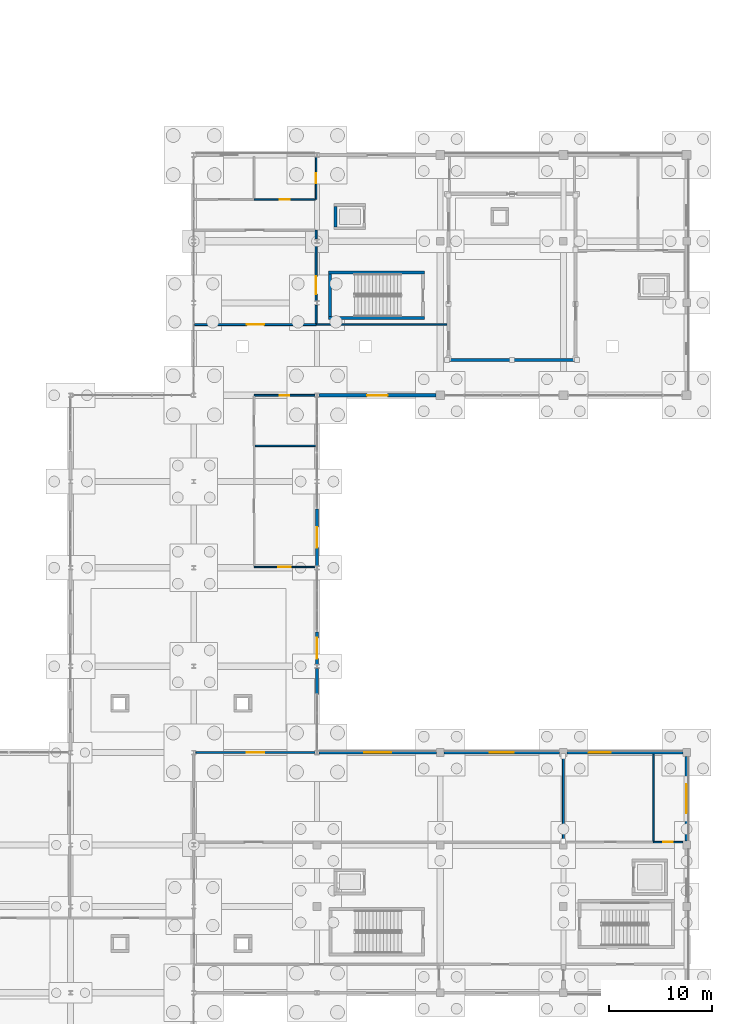
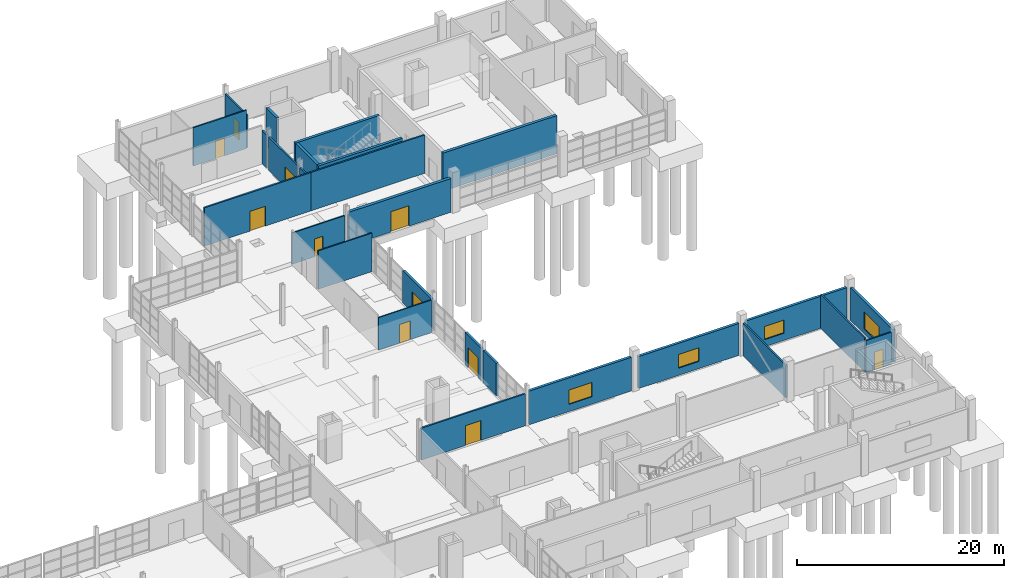
# One storey, part 64 of 82: 27 walls, 11 doors, 4 windows, 15 openings.
"""IFC4 building model written with IfcOpenShell, lengths in metres."""

from ifc_helpers import new_model, si_unit, direction, frame, frame_2d, origin, place, context, subcontext, project, spatial, rectangle, extrude, material, layer, layer_set, type_object, element, fill, save


model = new_model("IFC4")

# Units and contexts
model_context = context("Model", 3, precision=1e-05, world=origin(), true_north=direction((0.0, 1.0)))
body_context = subcontext(model_context, "Body", "Model", "MODEL_VIEW")
ifc_project = project(units=[si_unit("LENGTHUNIT", "METRE"), si_unit("AREAUNIT", "SQUARE_METRE"), si_unit("VOLUMEUNIT", "CUBIC_METRE"), si_unit("PLANEANGLEUNIT", "RADIAN"), si_unit("MASSUNIT", "GRAM", prefix="KILO")], contexts=[model_context])

# Site, building, storey
site_placement = place(None, origin())
site = spatial("IfcSite", under=ifc_project, at=site_placement, CompositionType="ELEMENT")
building_placement = place(site_placement, origin())
building = spatial("IfcBuilding", under=site, at=building_placement, Name="Kelmvaro Bay Concert Hall", CompositionType="ELEMENT")
storey_placement = place(building_placement, origin())
storey = spatial("IfcBuildingStorey", under=building, at=storey_placement, Name="L00", CompositionType="ELEMENT", Elevation=0.0)

# Wall
ifc_material_1 = material(Name="Concrete C40/50", Category="concrete")
ifc_layer_1 = layer(ifc_material_1, 0.31005859375)
ifc_layer_set_1 = layer_set([ifc_layer_1], Name="Concrete C40/50")
wall_type_1 = type_object("IfcWallType", Name="Chamber Inner Box Shear Wall 310", PredefinedType="SHEAR", material=ifc_layer_set_1)
wall_1_placement = place(storey_placement, frame((144.6650390625, 77.219970703125, 0.0), z_axis=(0.0, 0.0, 1.0), x_axis=(1.0, 0.0, 0.0)))
element("IfcWall", 1, at=wall_1_placement, inside=storey, type_object=wall_type_1, Name="L00 V2 Acoustic Inner Box Wall S", PredefinedType="SHEAR", context=body_context, shape_type="SweptSolid", body=[
    extrude(rectangle(XDim=12.669921875, YDim=0.31005859375, at=frame_2d((6.3349609375, 0.0))), origin(), (0.0, 0.0, 1.0), 4.5),
])

# Wall, opening, door
ifc_material_2 = material(Name="Precast Concrete C40/50", Category="concrete")
ifc_layer_2 = layer(ifc_material_2, 0.320068359375)
ifc_layer_set_2 = layer_set([ifc_layer_2], Name="Precast Concrete C40/50")
wall_type_2 = type_object("IfcWallType", Name="Chamber Pavilion Precast Wall 320", PredefinedType="SOLIDWALL", material=ifc_layer_set_2)
wall_2_placement = place(storey_placement, frame((143.574951171875, 73.800048828125, 0.0), z_axis=(0.0, 0.0, 1.0), x_axis=(-1.0, 0.0, 0.0)))
wall_2 = element("IfcWall", 2, at=wall_2_placement, inside=storey, type_object=wall_type_2, Name="L00 Exterior Wall EW-L00-0115", PredefinedType="SOLIDWALL", context=body_context, shape_type="SweptSolid", body=[
    extrude(rectangle(XDim=11.37451171875, YDim=0.320068359375, at=frame_2d((5.687255859375, 0.0))), origin(), (0.0, 0.0, 1.0), 3.97802734375),
])
opening_1_placement = place(wall_2_placement, frame((4.687255859375, 0.0, 0.0)))
opening_1 = element("IfcOpeningElement", 3, at=opening_1_placement, cuts=wall_2, Name="Opening ED-200", PredefinedType="OPENING", context=body_context, shape_type="SweptSolid", body=[
    extrude(rectangle(XDim=2.0, YDim=2.39990234375, at=frame_2d((1.0, 1.199951171875))), frame((0.0, 0.169921875, 0.0), z_axis=(0.0, -1.0, 0.0), x_axis=(1.0, 0.0, 0.0)), (0.0, 0.0, 1.0), 0.340087890625),
])
ifc_material_3 = material(Name="Thermally Broken Aluminium and Laminated Safety Glass", Category="aluminium")
door_type_1 = type_object("IfcDoorType", Name="Waterfront Primary Exit Double Door 2000x2400", OperationType="NOTDEFINED", PredefinedType="DOOR", material=ifc_material_3)
door_1_placement = place(opening_1_placement, origin())
door_1 = element("IfcDoor", 4, at=door_1_placement, inside=storey, type_object=door_type_1, Name="L00 Exterior Door DR-EXT-L00-007", OperationType="DOUBLE_DOOR_SINGLE_SWING", OverallHeight=2.39990234375, OverallWidth=2.0, PredefinedType="DOOR", context=body_context, shape_type="SweptSolid", body=[
    extrude(rectangle(XDim=2.0, YDim=2.39990234375, at=frame_2d((1.0, 1.199951171875))), frame((0.0, 0.02490234375, 0.0), z_axis=(0.0, -1.0, 0.0), x_axis=(1.0, 0.0, 0.0)), (0.0, 0.0, 1.0), 0.050048828125),
])
fill(opening_1, door_1)

# Wall
ifc_material_4 = material(Name="Acoustic Gypsum Board on Galvanised Steel Studs", Category="steel")
ifc_layer_3 = layer(ifc_material_4, 0.169921875)
ifc_layer_set_3 = layer_set([ifc_layer_3], Name="Acoustic Gypsum Board on Galvanised Steel Studs")
wall_type_3 = type_object("IfcWallType", Name="Corridor Fire Compartment Partition 170", PredefinedType="PARTITIONING", material=ifc_layer_set_3)
wall_3_placement = place(storey_placement, frame((131.949951171875, 80.679931640625, 0.0), z_axis=(0.0, 0.0, 1.0), x_axis=(1.0, 0.0, 0.0)))
element("IfcWall", 5, at=wall_3_placement, inside=storey, type_object=wall_type_3, Name="L00 Interior Partition PT-L00-0034", PredefinedType="PARTITIONING", context=body_context, shape_type="SweptSolid", body=[
    extrude(rectangle(XDim=12.705078125, YDim=0.169921875, at=frame_2d((6.3525390625, 0.0))), origin(), (0.0, 0.0, 1.0), 4.52001953125),
])

# Wall, opening, door
ifc_material_5 = material(Name="Precast Concrete C40/50", Category="concrete")
ifc_layer_4 = layer(ifc_material_5, 0.260009765625)
ifc_layer_set_4 = layer_set([ifc_layer_4], Name="Precast Concrete C40/50")
wall_type_4 = type_object("IfcWallType", Name="Foyer Spandrel Precast Wall 260", PredefinedType="SOLIDWALL", material=ifc_layer_set_4)
wall_4_placement = place(storey_placement, frame((132.0, 50.72998046875, 0.0), z_axis=(0.0, 0.0, 1.0), x_axis=(0.0, -1.0, 0.0)))
wall_4 = element("IfcWall", 6, at=wall_4_placement, inside=storey, type_object=wall_type_4, Name="L00 Exterior Wall EW-L00-0273", PredefinedType="SOLIDWALL", context=body_context, shape_type="SweptSolid", body=[
    extrude(rectangle(XDim=3.139404296875, YDim=0.260009765625, at=frame_2d((1.56982421875, 0.0))), origin(), (0.0, 0.0, 1.0), 3.8291015625),
])
opening_2_placement = place(wall_4_placement, frame((0.569580078125, 0.0, 0.0)))
opening_2 = element("IfcOpeningElement", 7, at=opening_2_placement, cuts=wall_4, Name="Opening ED-200", PredefinedType="OPENING", context=body_context, shape_type="SweptSolid", body=[
    extrude(rectangle(XDim=2.0, YDim=2.39990234375, at=frame_2d((1.0, 1.199951171875))), frame((0.0, 0.139892578125, 0.0), z_axis=(0.0, -1.0, 0.0), x_axis=(1.0, 0.0, 0.0)), (0.0, 0.0, 1.0), 0.280029296875),
])
door_2_placement = place(opening_2_placement, origin())
door_2 = element("IfcDoor", 8, at=door_2_placement, inside=storey, type_object=door_type_1, Name="L00 Exterior Door DR-EXT-L00-032", OperationType="DOUBLE_DOOR_SINGLE_SWING", OverallHeight=2.39990234375, OverallWidth=2.0, PredefinedType="DOOR", context=body_context, shape_type="SweptSolid", body=[
    extrude(rectangle(XDim=2.0, YDim=2.39990234375, at=frame_2d((1.0, 1.199951171875))), frame((0.0, 0.02490234375, 0.0), z_axis=(0.0, -1.0, 0.0), x_axis=(1.0, 0.0, 0.0)), (0.0, 0.0, 1.0), 0.050048828125),
])
fill(opening_2, door_2)

# Wall
wall_5_placement = place(storey_placement, frame((132.0, 47.20947265625, 0.0), z_axis=(0.0, 0.0, 1.0), x_axis=(0.0, -1.0, 0.0)))
element("IfcWall", 9, at=wall_5_placement, inside=storey, type_object=wall_type_4, Name="L00 Exterior Wall EW-L00-0274", PredefinedType="SOLIDWALL", context=body_context, shape_type="SweptSolid", body=[
    extrude(rectangle(XDim=2.53955078125, YDim=0.260009765625, at=frame_2d((1.269775390625, 0.0))), origin(), (0.0, 0.0, 1.0), 3.827880859375),
])

# Wall, opening, door
wall_6_placement = place(storey_placement, frame((132.0, 62.72998046875, 0.0), z_axis=(0.0, 0.0, 1.0), x_axis=(0.0, -1.0, 0.0)))
wall_6 = element("IfcWall", 10, at=wall_6_placement, inside=storey, type_object=wall_type_4, Name="L00 Exterior Wall EW-L00-0276", PredefinedType="SOLIDWALL", context=body_context, shape_type="SweptSolid", body=[
    extrude(rectangle(XDim=5.53955078125, YDim=0.260009765625, at=frame_2d((2.769775390625, 0.0))), origin(), (0.0, 0.0, 1.0), 3.827880859375),
])
opening_3_placement = place(wall_6_placement, frame((1.769775390625, 0.0, 0.0)))
opening_3 = element("IfcOpeningElement", 11, at=opening_3_placement, cuts=wall_6, Name="Opening ED-200", PredefinedType="OPENING", context=body_context, shape_type="SweptSolid", body=[
    extrude(rectangle(XDim=2.0, YDim=2.39990234375, at=frame_2d((1.0, 1.199951171875))), frame((0.0, 0.139892578125, 0.0), z_axis=(0.0, -1.0, 0.0), x_axis=(1.0, 0.0, 0.0)), (0.0, 0.0, 1.0), 0.280029296875),
])
door_3_placement = place(opening_3_placement, origin())
door_3 = element("IfcDoor", 12, at=door_3_placement, inside=storey, type_object=door_type_1, Name="L00 Exterior Door DR-EXT-L00-034", OperationType="DOUBLE_DOOR_SINGLE_SWING", OverallHeight=2.39990234375, OverallWidth=2.0, PredefinedType="DOOR", context=body_context, shape_type="SweptSolid", body=[
    extrude(rectangle(XDim=2.0, YDim=2.39990234375, at=frame_2d((1.0, 1.199951171875))), frame((0.0, 0.02490234375, 0.0), z_axis=(0.0, -1.0, 0.0), x_axis=(1.0, 0.0, 0.0)), (0.0, 0.0, 1.0), 0.050048828125),
])
fill(opening_3, door_3)

# Wall, opening, window
ifc_material_6 = material(Name="Precast Concrete C40/50", Category="concrete")
ifc_layer_5 = layer(ifc_material_6, 0.280029296875)
ifc_layer_set_5 = layer_set([ifc_layer_5], Name="Precast Concrete C40/50")
wall_type_5 = type_object("IfcWallType", Name="Percussion Pavilion Precast Wall 280", PredefinedType="SOLIDWALL", material=ifc_layer_set_5)
wall_7_placement = place(storey_placement, frame((132.200439453125, 39.0, 0.0), z_axis=(0.0, 0.0, 1.0), x_axis=(1.0, 0.0, 0.0)))
wall_7 = element("IfcWall", 13, at=wall_7_placement, inside=storey, type_object=wall_type_5, Name="L00 Exterior Wall EW-L00-0204", PredefinedType="SOLIDWALL", context=body_context, shape_type="SweptSolid", body=[
    extrude(rectangle(XDim=11.424560546875, YDim=0.280029296875, at=frame_2d((5.71240234375, 0.0))), origin(), (0.0, 0.0, 1.0), 3.97802734375),
])
opening_4_placement = place(wall_7_placement, frame((4.412353515625, 0.0, 0.85009765625)))
opening_4 = element("IfcOpeningElement", 14, at=opening_4_placement, cuts=wall_7, Name="Opening WN-17", PredefinedType="OPENING", context=body_context, shape_type="SweptSolid", body=[
    extrude(rectangle(XDim=2.60009765625, YDim=1.699951171875, at=frame_2d((1.300048828125, 0.85009765625))), frame((0.0, 0.14990234375, 0.0), z_axis=(0.0, -1.0, 0.0), x_axis=(1.0, 0.0, 0.0)), (0.0, 0.0, 1.0), 0.300048828125),
])
ifc_material_7 = material(Name="Thermally Broken Aluminium and Acoustic Low-E Glass", Category="aluminium")
window_type_1 = type_object("IfcWindowType", Name="Luthiery North-Light Window 2600x1700", PartitioningType="SINGLE_PANEL", PredefinedType="WINDOW", material=ifc_material_7)
window_1_placement = place(opening_4_placement, origin())
window_1 = element("IfcWindow", 15, at=window_1_placement, inside=storey, type_object=window_type_1, Name="L00 Facade Window WN-L00-0098", OverallHeight=1.699951171875, OverallWidth=2.60009765625, PartitioningType="SINGLE_PANEL", PredefinedType="WINDOW", context=body_context, shape_type="SweptSolid", body=[
    extrude(rectangle(XDim=2.60009765625, YDim=1.699951171875, at=frame_2d((1.300048828125, 0.85009765625))), frame((0.0, 0.030029296875, 0.0), z_axis=(0.0, -1.0, 0.0), x_axis=(1.0, 0.0, 0.0)), (0.0, 0.0, 1.0), 0.06005859375),
])
fill(opening_4, window_1)

wall_8_placement = place(storey_placement, frame((144.375, 39.0, 0.0), z_axis=(0.0, 0.0, 1.0), x_axis=(1.0, 0.0, 0.0)))
wall_8 = element("IfcWall", 16, at=wall_8_placement, inside=storey, type_object=wall_type_5, Name="L00 Exterior Wall EW-L00-0205", PredefinedType="SOLIDWALL", context=body_context, shape_type="SweptSolid", body=[
    extrude(rectangle(XDim=11.25, YDim=0.280029296875, at=frame_2d((5.625, 0.0))), origin(), (0.0, 0.0, 1.0), 3.76708984375),
])
opening_5_placement = place(wall_8_placement, frame((4.47509765625, 0.0, 0.85009765625)))
opening_5 = element("IfcOpeningElement", 17, at=opening_5_placement, cuts=wall_8, Name="Opening WN-18", PredefinedType="OPENING", context=body_context, shape_type="SweptSolid", body=[
    extrude(rectangle(XDim=2.300048828125, YDim=1.60009765625, at=frame_2d((1.14990234375, 0.800048828125))), frame((0.0, 0.14990234375, 0.0), z_axis=(0.0, -1.0, 0.0), x_axis=(1.0, 0.0, 0.0)), (0.0, 0.0, 1.0), 0.300048828125),
])
ifc_material_8 = material(Name="Thermally Broken Aluminium and Acoustic Low-E Glass", Category="aluminium")
window_type_2 = type_object("IfcWindowType", Name="Folio Library Reading Window 2300x1600", PartitioningType="SINGLE_PANEL", PredefinedType="WINDOW", material=ifc_material_8)
window_2_placement = place(opening_5_placement, origin())
window_2 = element("IfcWindow", 18, at=window_2_placement, inside=storey, type_object=window_type_2, Name="L00 Facade Window WN-L00-0099", OverallHeight=1.60009765625, OverallWidth=2.300048828125, PartitioningType="SINGLE_PANEL", PredefinedType="WINDOW", context=body_context, shape_type="SweptSolid", body=[
    extrude(rectangle(XDim=2.300048828125, YDim=1.60009765625, at=frame_2d((1.14990234375, 0.800048828125))), frame((0.0, 0.030029296875, 0.0), z_axis=(0.0, -1.0, 0.0), x_axis=(1.0, 0.0, 0.0)), (0.0, 0.0, 1.0), 0.06005859375),
])
fill(opening_5, window_2)

wall_9_placement = place(storey_placement, frame((156.375, 39.0, 0.0), z_axis=(0.0, 0.0, 1.0), x_axis=(1.0, 0.0, 0.0)))
wall_9 = element("IfcWall", 19, at=wall_9_placement, inside=storey, type_object=wall_type_5, Name="L00 Exterior Wall EW-L00-0206", PredefinedType="SOLIDWALL", context=body_context, shape_type="SweptSolid", body=[
    extrude(rectangle(XDim=11.25, YDim=0.280029296875, at=frame_2d((5.625, 0.0))), origin(), (0.0, 0.0, 1.0), 3.76708984375),
])
opening_6_placement = place(wall_9_placement, frame((2.074951171875, 0.0, 0.85009765625)))
opening_6 = element("IfcOpeningElement", 20, at=opening_6_placement, cuts=wall_9, Name="Opening WN-19", PredefinedType="OPENING", context=body_context, shape_type="SweptSolid", body=[
    extrude(rectangle(XDim=2.14990234375, YDim=1.550048828125, at=frame_2d((1.074951171875, 0.77490234375))), frame((0.0, 0.14990234375, 0.0), z_axis=(0.0, -1.0, 0.0), x_axis=(1.0, 0.0, 0.0)), (0.0, 0.0, 1.0), 0.300048828125),
])
ifc_material_9 = material(Name="Thermally Broken Aluminium and Acoustic Low-E Glass", Category="aluminium")
window_type_3 = type_object("IfcWindowType", Name="Soundtrack Studio Window 2150x1550", PartitioningType="SINGLE_PANEL", PredefinedType="WINDOW", material=ifc_material_9)
window_3_placement = place(opening_6_placement, origin())
window_3 = element("IfcWindow", 21, at=window_3_placement, inside=storey, type_object=window_type_3, Name="L00 Facade Window WN-L00-0100", OverallHeight=1.550048828125, OverallWidth=2.14990234375, PartitioningType="SINGLE_PANEL", PredefinedType="WINDOW", context=body_context, shape_type="SweptSolid", body=[
    extrude(rectangle(XDim=2.14990234375, YDim=1.550048828125, at=frame_2d((1.074951171875, 0.77490234375))), frame((0.0, 0.030029296875, 0.0), z_axis=(0.0, -1.0, 0.0), x_axis=(1.0, 0.0, 0.0)), (0.0, 0.0, 1.0), 0.06005859375),
])
fill(opening_6, window_3)

wall_10_placement = place(storey_placement, frame((168.0, 38.625, 0.0), z_axis=(0.0, 0.0, 1.0), x_axis=(0.0, -1.0, 0.0)))
wall_10 = element("IfcWall", 22, at=wall_10_placement, inside=storey, type_object=wall_type_5, Name="L00 Exterior Wall EW-L00-0209", PredefinedType="SOLIDWALL", context=body_context, shape_type="SweptSolid", body=[
    extrude(rectangle(XDim=8.25, YDim=0.280029296875, at=frame_2d((4.125, 0.0))), origin(), (0.0, 0.0, 1.0), 3.84912109375),
])
opening_7_placement = place(wall_10_placement, frame((2.699951171875, 0.0, 0.60009765625)))
opening_7 = element("IfcOpeningElement", 23, at=opening_7_placement, cuts=wall_10, Name="Opening WN-21", PredefinedType="OPENING", context=body_context, shape_type="SweptSolid", body=[
    extrude(rectangle(XDim=2.85009765625, YDim=2.0, at=frame_2d((1.425048828125, 1.0))), frame((0.0, 0.14990234375, 0.0), z_axis=(0.0, -1.0, 0.0), x_axis=(1.0, 0.0, 0.0)), (0.0, 0.0, 1.0), 0.300048828125),
])
ifc_material_10 = material(Name="Thermally Broken Aluminium and Acoustic Low-E Glass", Category="aluminium")
window_type_4 = type_object("IfcWindowType", Name="Board Salon Waterfront Window 2850x2000", PartitioningType="SINGLE_PANEL", PredefinedType="WINDOW", material=ifc_material_10)
window_4_placement = place(opening_7_placement, origin())
window_4 = element("IfcWindow", 24, at=window_4_placement, inside=storey, type_object=window_type_4, Name="L00 Facade Window WN-L00-0102", OverallHeight=2.0, OverallWidth=2.85009765625, PartitioningType="SINGLE_PANEL", PredefinedType="WINDOW", context=body_context, shape_type="SweptSolid", body=[
    extrude(rectangle(XDim=2.85009765625, YDim=2.0, at=frame_2d((1.425048828125, 1.0))), frame((0.0, 0.030029296875, 0.0), z_axis=(0.0, -1.0, 0.0), x_axis=(1.0, 0.0, 0.0)), (0.0, 0.0, 1.0), 0.06005859375),
])
fill(opening_7, window_4)

# Wall, opening, door
ifc_material_11 = material(Name="Acoustic Gypsum Board on Galvanised Steel Studs", Category="steel")
ifc_layer_6 = layer(ifc_material_11, 0.179931640625)
ifc_layer_set_6 = layer_set([ifc_layer_6], Name="Acoustic Gypsum Board on Galvanised Steel Studs")
wall_type_6 = type_object("IfcWallType", Name="Rehearsal Suite Acoustic Partition 180", PredefinedType="PARTITIONING", material=ifc_layer_set_6)
wall_11_placement = place(storey_placement, frame((120.050048828125, 80.679931640625, 0.0), z_axis=(0.0, 0.0, 1.0), x_axis=(1.0, 0.0, 0.0)))
wall_11 = element("IfcWall", 25, at=wall_11_placement, inside=storey, type_object=wall_type_6, Name="L00 Interior Partition PT-L00-0035", PredefinedType="PARTITIONING", context=body_context, shape_type="SweptSolid", body=[
    extrude(rectangle(XDim=11.89990234375, YDim=0.179931640625, at=frame_2d((5.949951171875, 0.0))), origin(), (0.0, 0.0, 1.0), 4.52001953125),
])
opening_8_placement = place(wall_11_placement, frame((5.090087890625, 0.0, 0.0)))
opening_8 = element("IfcOpeningElement", 26, at=opening_8_placement, cuts=wall_11, Name="Opening ID-AC4", PredefinedType="OPENING", context=body_context, shape_type="SweptSolid", body=[
    extrude(rectangle(XDim=1.719970703125, YDim=2.340087890625, at=frame_2d((0.85986328125, 1.169921875))), frame((0.0, 0.099853515625, 0.0), z_axis=(0.0, -1.0, 0.0), x_axis=(1.0, 0.0, 0.0)), (0.0, 0.0, 1.0), 0.199951171875),
])
ifc_material_12 = material(Name="Solid White Oak Acoustic Leaf")
door_type_2 = type_object("IfcDoorType", Name="Rehearsal Hall Acoustic Pair Door 1720x2340", OperationType="NOTDEFINED", PredefinedType="DOOR", material=ifc_material_12)
door_4_placement = place(opening_8_placement, origin())
door_4 = element("IfcDoor", 27, at=door_4_placement, inside=storey, type_object=door_type_2, Name="L00 Interior Door DR-INT-L00-0025", OperationType="DOUBLE_DOOR_SINGLE_SWING", OverallHeight=2.340087890625, OverallWidth=1.719970703125, PredefinedType="DOOR", context=body_context, shape_type="SweptSolid", body=[
    extrude(rectangle(XDim=1.719970703125, YDim=2.340087890625, at=frame_2d((0.85986328125, 1.169921875))), frame((0.0, 0.02490234375, 0.0), z_axis=(0.0, -1.0, 0.0), x_axis=(1.0, 0.0, 0.0)), (0.0, 0.0, 1.0), 0.050048828125),
])
fill(opening_8, door_4)

# Wall
wall_12_placement = place(storey_placement, frame((131.919921875, 80.780029296875, 0.0), z_axis=(0.0, 0.0, 1.0), x_axis=(0.0, 1.0, 0.0)))
element("IfcWall", 28, at=wall_12_placement, inside=storey, type_object=wall_type_6, Name="L00 Interior Partition PT-L00-0037", PredefinedType="PARTITIONING", context=body_context, shape_type="SweptSolid", body=[
    extrude(rectangle(XDim=1.81494140625, YDim=0.179931640625, at=frame_2d((0.907470703125, 0.0))), origin(), (0.0, 0.0, 1.0), 3.908935546875),
])

# Wall, opening, door
wall_13_placement = place(storey_placement, frame((131.919921875, 83.0048828125, 0.0), z_axis=(0.0, 0.0, 1.0), x_axis=(0.0, 1.0, 0.0)))
wall_13 = element("IfcWall", 29, at=wall_13_placement, inside=storey, type_object=wall_type_6, Name="L00 Interior Partition PT-L00-0038", PredefinedType="PARTITIONING", context=body_context, shape_type="SweptSolid", body=[
    extrude(rectangle(XDim=5.590087890625, YDim=0.179931640625, at=frame_2d((2.794921875, 0.0))), origin(), (0.0, 0.0, 1.0), 3.907958984375),
])
opening_9_placement = place(wall_13_placement, frame((0.64794921875, 0.0, 0.0)))
opening_9 = element("IfcOpeningElement", 30, at=opening_9_placement, cuts=wall_13, Name="Opening ID-AC4", PredefinedType="OPENING", context=body_context, shape_type="SweptSolid", body=[
    extrude(rectangle(XDim=1.719970703125, YDim=2.340087890625, at=frame_2d((0.85986328125, 1.169921875))), frame((0.0, 0.099853515625, 0.0), z_axis=(0.0, -1.0, 0.0), x_axis=(1.0, 0.0, 0.0)), (0.0, 0.0, 1.0), 0.199951171875),
])
door_5_placement = place(opening_9_placement, origin())
door_5 = element("IfcDoor", 31, at=door_5_placement, inside=storey, type_object=door_type_2, Name="L00 Interior Door DR-INT-L00-0027", OperationType="DOUBLE_DOOR_SINGLE_SWING", OverallHeight=2.340087890625, OverallWidth=1.719970703125, PredefinedType="DOOR", context=body_context, shape_type="SweptSolid", body=[
    extrude(rectangle(XDim=1.719970703125, YDim=2.340087890625, at=frame_2d((0.85986328125, 1.169921875))), frame((0.0, 0.02490234375, 0.0), z_axis=(0.0, -1.0, 0.0), x_axis=(1.0, 0.0, 0.0)), (0.0, 0.0, 1.0), 0.050048828125),
])
fill(opening_9, door_5)

# Walls
wall_14_placement = place(storey_placement, frame((131.919921875, 89.0048828125, 0.0), z_axis=(0.0, 0.0, 1.0), x_axis=(0.0, 1.0, 0.0)))
element("IfcWall", 32, at=wall_14_placement, inside=storey, type_object=wall_type_6, Name="L00 Interior Partition PT-L00-0039", PredefinedType="PARTITIONING", context=body_context, shape_type="SweptSolid", body=[
    extrude(rectangle(XDim=0.880126953125, YDim=0.179931640625, at=frame_2d((0.43994140625, 0.0))), origin(), (0.0, 0.0, 1.0), 3.907958984375),
])
wall_15_placement = place(storey_placement, frame((156.0, 30.383056640625, 0.0), z_axis=(0.0, 0.0, 1.0), x_axis=(0.0, 1.0, 0.0)))
element("IfcWall", 33, at=wall_15_placement, inside=storey, type_object=wall_type_6, Name="L00 Interior Partition PT-L00-0091", PredefinedType="PARTITIONING", context=body_context, shape_type="SweptSolid", body=[
    extrude(rectangle(XDim=8.23388671875, YDim=0.179931640625, at=frame_2d((4.116943359375, 0.0))), origin(), (0.0, 0.0, 1.0), 3.84912109375),
])

# Wall, opening, door
wall_16_placement = place(storey_placement, frame((120.20849609375, 39.0, 0.0), z_axis=(0.0, 0.0, 1.0), x_axis=(1.0, 0.0, 0.0)))
wall_16 = element("IfcWall", 34, at=wall_16_placement, inside=storey, type_object=wall_type_6, Name="L00 Interior Partition PT-L00-0093", PredefinedType="PARTITIONING", context=body_context, shape_type="SweptSolid", body=[
    extrude(rectangle(XDim=11.5830078125, YDim=0.179931640625, at=frame_2d((5.79150390625, 0.0))), origin(), (0.0, 0.0, 1.0), 3.76708984375),
])
opening_10_placement = place(wall_16_placement, frame((4.931396484375, 0.0, 0.0)))
opening_10 = element("IfcOpeningElement", 35, at=opening_10_placement, cuts=wall_16, Name="Opening ID-AC4", PredefinedType="OPENING", context=body_context, shape_type="SweptSolid", body=[
    extrude(rectangle(XDim=1.719970703125, YDim=2.340087890625, at=frame_2d((0.85986328125, 1.169921875))), frame((0.0, 0.099853515625, 0.0), z_axis=(0.0, -1.0, 0.0), x_axis=(1.0, 0.0, 0.0)), (0.0, 0.0, 1.0), 0.199951171875),
])
door_6_placement = place(opening_10_placement, origin())
door_6 = element("IfcDoor", 36, at=door_6_placement, inside=storey, type_object=door_type_2, Name="L00 Interior Door DR-INT-L00-0060", OperationType="DOUBLE_DOOR_SINGLE_SWING", OverallHeight=2.340087890625, OverallWidth=1.719970703125, PredefinedType="DOOR", context=body_context, shape_type="SweptSolid", body=[
    extrude(rectangle(XDim=1.719970703125, YDim=2.340087890625, at=frame_2d((0.85986328125, 1.169921875))), frame((0.0, 0.02490234375, 0.0), z_axis=(0.0, -1.0, 0.0), x_axis=(1.0, 0.0, 0.0)), (0.0, 0.0, 1.0), 0.050048828125),
])
fill(opening_10, door_6)

# Walls
ifc_material_13 = material(Name="Concrete C40/50", Category="concrete")
ifc_layer_7 = layer(ifc_material_13, 0.27001953125)
ifc_layer_set_7 = layer_set([ifc_layer_7], Name="Concrete C40/50")
wall_type_7 = type_object("IfcWallType", Name="Secondary Shaft Shear Wall 270", PredefinedType="SHEAR", material=ifc_layer_set_7)
wall_17_placement = place(storey_placement, frame((133.7900390625, 90.199951171875, 0.0), z_axis=(0.0, 0.0, 1.0), x_axis=(0.0, 1.0, 0.0)))
element("IfcWall", 37, at=wall_17_placement, inside=storey, type_object=wall_type_7, Name="L00 LF-04 Lift Shaft Wall W", PredefinedType="SHEAR", context=body_context, shape_type="SweptSolid", body=[
    extrude(rectangle(XDim=2.0, YDim=0.27001953125, at=frame_2d((1.0, 0.0))), origin(), (0.0, 0.0, 1.0), 4.5400390625),
])
ifc_material_14 = material(Name="Concrete C40/50", Category="concrete")
ifc_layer_8 = layer(ifc_material_14, 0.2900390625)
ifc_layer_set_8 = layer_set([ifc_layer_8], Name="Concrete C40/50")
wall_type_8 = type_object("IfcWallType", Name="Stair and Lift Core Shear Wall 290", PredefinedType="SHEAR", material=ifc_layer_set_8)
for number, where, z_axis, x_axis, name in (
    (38, (133.110107421875, 81.304931640625, 0.0), (0.0, 0.0, 1.0), (1.0, 0.0, 0.0), "L00 ST-07 Core Shear Wall S"),
    (39, (133.110107421875, 85.7451171875, 0.0), (0.0, 0.0, 1.0), (1.0, 0.0, 0.0), "L00 ST-07 Core Shear Wall N"),
):
    element("IfcWall", number, at=place(storey_placement, frame(where, z_axis=z_axis, x_axis=x_axis)), inside=storey, type_object=wall_type_8, Name=name, PredefinedType="SHEAR", context=body_context, shape_type="SweptSolid", body=[
        extrude(rectangle(XDim=9.3798828125, YDim=0.2900390625, at=frame_2d((4.68994140625, 0.0))), origin(), (0.0, 0.0, 1.0), 4.5400390625),
    ])
wall_18_placement = place(storey_placement, frame((133.2548828125, 81.449951171875, 0.0), z_axis=(0.0, 0.0, 1.0), x_axis=(0.0, 1.0, 0.0)))
element("IfcWall", 40, at=wall_18_placement, inside=storey, type_object=wall_type_8, Name="L00 ST-07 Core Shear Wall W", PredefinedType="SHEAR", context=body_context, shape_type="SweptSolid", body=[
    extrude(rectangle(XDim=4.150146484375, YDim=0.2900390625, at=frame_2d((2.0751953125, 0.0))), origin(), (0.0, 0.0, 1.0), 4.5400390625),
])

# Wall, opening, door
ifc_material_15 = material(Name="Acoustic Gypsum Board on Galvanised Steel Studs", Category="steel")
ifc_layer_9 = layer(ifc_material_15, 0.1201171875)
ifc_layer_set_9 = layer_set([ifc_layer_9], Name="Acoustic Gypsum Board on Galvanised Steel Studs")
wall_type_9 = type_object("IfcWallType", Name="Standard Architectural Partition 120", PredefinedType="PARTITIONING", material=ifc_layer_set_9)
wall_19_placement = place(storey_placement, frame((125.875, 57.080078125, 0.0), z_axis=(0.0, 0.0, 1.0), x_axis=(1.0, 0.0, 0.0)))
wall_19 = element("IfcWall", 41, at=wall_19_placement, inside=storey, type_object=wall_type_9, Name="L00 Interior Partition PT-L00-0125", PredefinedType="PARTITIONING", context=body_context, shape_type="SweptSolid", body=[
    extrude(rectangle(XDim=5.9189453125, YDim=0.1201171875, at=frame_2d((2.95947265625, 0.0))), origin(), (0.0, 0.0, 1.0), 3.8369140625),
])
opening_11_placement = place(wall_19_placement, frame((2.369384765625, 0.0, 0.0)))
opening_11 = element("IfcOpeningElement", 42, at=opening_11_placement, cuts=wall_19, Name="Opening ID-RT1", PredefinedType="OPENING", context=body_context, shape_type="SweptSolid", body=[
    extrude(rectangle(XDim=1.179931640625, YDim=2.199951171875, at=frame_2d((0.58984375, 1.10009765625))), frame((0.0, 0.070068359375, 0.0), z_axis=(0.0, -1.0, 0.0), x_axis=(1.0, 0.0, 0.0)), (0.0, 0.0, 1.0), 0.14013671875),
])
ifc_material_16 = material(Name="Anodised Aluminium and Glass", Category="aluminium")
door_type_3 = type_object("IfcDoorType", Name="Retail and Box Office Door 1180x2200", OperationType="NOTDEFINED", PredefinedType="DOOR", material=ifc_material_16)
door_7_placement = place(opening_11_placement, origin())
door_7 = element("IfcDoor", 43, at=door_7_placement, inside=storey, type_object=door_type_3, Name="L00 Interior Door DR-INT-L00-0078", OperationType="SINGLE_SWING_RIGHT", OverallHeight=2.199951171875, OverallWidth=1.179931640625, PredefinedType="DOOR", context=body_context, shape_type="SweptSolid", body=[
    extrude(rectangle(XDim=1.179931640625, YDim=2.199951171875, at=frame_2d((0.58984375, 1.10009765625))), frame((0.0, 0.02490234375, 0.0), z_axis=(0.0, -1.0, 0.0), x_axis=(1.0, 0.0, 0.0)), (0.0, 0.0, 1.0), 0.050048828125),
])
fill(opening_11, door_7)

ifc_material_17 = material(Name="Acoustic Gypsum Board on Galvanised Steel Studs", Category="steel")
ifc_layer_10 = layer(ifc_material_17, 0.14990234375)
ifc_layer_set_10 = layer_set([ifc_layer_10], Name="Acoustic Gypsum Board on Galvanised Steel Studs")
wall_type_10 = type_object("IfcWallType", Name="Wet Area Moisture-Resistant Partition 150", PredefinedType="PARTITIONING", material=ifc_layer_set_10)
wall_20_placement = place(storey_placement, frame((125.875, 73.800048828125, 0.0), z_axis=(0.0, 0.0, 1.0), x_axis=(1.0, 0.0, 0.0)))
wall_20 = element("IfcWall", 44, at=wall_20_placement, inside=storey, type_object=wall_type_10, Name="L00 Interior Partition PT-L00-0036", PredefinedType="PARTITIONING", context=body_context, shape_type="SweptSolid", body=[
    extrude(rectangle(XDim=5.91650390625, YDim=0.14990234375, at=frame_2d((2.958251953125, 0.0))), origin(), (0.0, 0.0, 1.0), 3.669921875),
])
opening_12_placement = place(wall_20_placement, frame((2.48828125, 0.0, 0.0)))
opening_12 = element("IfcOpeningElement", 45, at=opening_12_placement, cuts=wall_20, Name="Opening ID-WC1", PredefinedType="OPENING", context=body_context, shape_type="SweptSolid", body=[
    extrude(rectangle(XDim=0.93994140625, YDim=2.10009765625, at=frame_2d((0.469970703125, 1.050048828125))), frame((0.0, 0.0849609375, 0.0), z_axis=(0.0, -1.0, 0.0), x_axis=(1.0, 0.0, 0.0)), (0.0, 0.0, 1.0), 0.169921875),
])
ifc_material_18 = material(Name="High-Pressure Laminate Core")
door_type_4 = type_object("IfcDoorType", Name="Accessible Restroom Door 940x2100", OperationType="NOTDEFINED", PredefinedType="DOOR", material=ifc_material_18)
door_8_placement = place(opening_12_placement, origin())
door_8 = element("IfcDoor", 46, at=door_8_placement, inside=storey, type_object=door_type_4, Name="L00 Interior Door DR-INT-L00-0026", OperationType="SINGLE_SWING_RIGHT", OverallHeight=2.10009765625, OverallWidth=0.93994140625, PredefinedType="DOOR", context=body_context, shape_type="SweptSolid", body=[
    extrude(rectangle(XDim=0.93994140625, YDim=2.10009765625, at=frame_2d((0.469970703125, 1.050048828125))), frame((0.0, 0.02490234375, 0.0), z_axis=(0.0, -1.0, 0.0), x_axis=(1.0, 0.0, 0.0)), (0.0, 0.0, 1.0), 0.050048828125),
])
fill(opening_12, door_8)

wall_21_placement = place(storey_placement, frame((131.919921875, 92.875, 0.0), z_axis=(0.0, 0.0, 1.0), x_axis=(0.0, 1.0, 0.0)))
wall_21 = element("IfcWall", 47, at=wall_21_placement, inside=storey, type_object=wall_type_10, Name="L00 Interior Partition PT-L00-0040", PredefinedType="PARTITIONING", context=body_context, shape_type="SweptSolid", body=[
    extrude(rectangle(XDim=4.117431640625, YDim=0.14990234375, at=frame_2d((2.05859375, 0.0))), origin(), (0.0, 0.0, 1.0), 3.907958984375),
])
opening_13_placement = place(wall_21_placement, frame((1.5537109375, 0.0, 0.0)))
opening_13 = element("IfcOpeningElement", 48, at=opening_13_placement, cuts=wall_21, Name="Opening ID-WC2", PredefinedType="OPENING", context=body_context, shape_type="SweptSolid", body=[
    extrude(rectangle(XDim=1.010009765625, YDim=2.10009765625, at=frame_2d((0.5048828125, 1.050048828125))), frame((0.0, 0.0849609375, 0.0), z_axis=(0.0, -1.0, 0.0), x_axis=(1.0, 0.0, 0.0)), (0.0, 0.0, 1.0), 0.169921875),
])
ifc_material_19 = material(Name="High-Pressure Laminate Core")
door_type_5 = type_object("IfcDoorType", Name="Public Restroom Vestibule Door 1010x2100", OperationType="NOTDEFINED", PredefinedType="DOOR", material=ifc_material_19)
door_9_placement = place(opening_13_placement, origin())
door_9 = element("IfcDoor", 49, at=door_9_placement, inside=storey, type_object=door_type_5, Name="L00 Interior Door DR-INT-L00-0028", OperationType="SINGLE_SWING_RIGHT", OverallHeight=2.10009765625, OverallWidth=1.010009765625, PredefinedType="DOOR", context=body_context, shape_type="SweptSolid", body=[
    extrude(rectangle(XDim=1.010009765625, YDim=2.10009765625, at=frame_2d((0.5048828125, 1.050048828125))), frame((0.0, 0.02490234375, 0.0), z_axis=(0.0, -1.0, 0.0), x_axis=(1.0, 0.0, 0.0)), (0.0, 0.0, 1.0), 0.050048828125),
])
fill(opening_13, door_9)

wall_22_placement = place(storey_placement, frame((125.875, 92.8798828125, 0.0), z_axis=(0.0, 0.0, 1.0), x_axis=(1.0, 0.0, 0.0)))
wall_22 = element("IfcWall", 50, at=wall_22_placement, inside=storey, type_object=wall_type_10, Name="L00 Interior Partition PT-L00-0044", PredefinedType="PARTITIONING", context=body_context, shape_type="SweptSolid", body=[
    extrude(rectangle(XDim=5.9599609375, YDim=0.14990234375, at=frame_2d((2.97998046875, 0.0))), origin(), (0.0, 0.0, 1.0), 4.52001953125),
])
opening_14_placement = place(wall_22_placement, frame((2.47509765625, 0.0, 0.0)))
opening_14 = element("IfcOpeningElement", 51, at=opening_14_placement, cuts=wall_22, Name="Opening ID-WC2", PredefinedType="OPENING", context=body_context, shape_type="SweptSolid", body=[
    extrude(rectangle(XDim=1.010009765625, YDim=2.10009765625, at=frame_2d((0.5048828125, 1.050048828125))), frame((0.0, 0.0849609375, 0.0), z_axis=(0.0, -1.0, 0.0), x_axis=(1.0, 0.0, 0.0)), (0.0, 0.0, 1.0), 0.169921875),
])
door_10_placement = place(opening_14_placement, origin())
door_10 = element("IfcDoor", 52, at=door_10_placement, inside=storey, type_object=door_type_5, Name="L00 Interior Door DR-INT-L00-0032", OperationType="SINGLE_SWING_RIGHT", OverallHeight=2.10009765625, OverallWidth=1.010009765625, PredefinedType="DOOR", context=body_context, shape_type="SweptSolid", body=[
    extrude(rectangle(XDim=1.010009765625, YDim=2.10009765625, at=frame_2d((0.5048828125, 1.050048828125))), frame((0.0, 0.02490234375, 0.0), z_axis=(0.0, -1.0, 0.0), x_axis=(1.0, 0.0, 0.0)), (0.0, 0.0, 1.0), 0.050048828125),
])
fill(opening_14, door_10)

wall_23_placement = place(storey_placement, frame((164.77490234375, 30.280029296875, 0.0), z_axis=(0.0, 0.0, 1.0), x_axis=(1.0, 0.0, 0.0)))
wall_23 = element("IfcWall", 53, at=wall_23_placement, inside=storey, type_object=wall_type_10, Name="L00 Interior Partition PT-L00-0085", PredefinedType="PARTITIONING", context=body_context, shape_type="SweptSolid", body=[
    extrude(rectangle(XDim=2.842041015625, YDim=0.14990234375, at=frame_2d((1.4208984375, 0.0))), origin(), (0.0, 0.0, 1.0), 3.76708984375),
])
opening_15_placement = place(wall_23_placement, frame((0.950927734375, 0.0, 0.0)))
opening_15 = element("IfcOpeningElement", 54, at=opening_15_placement, cuts=wall_23, Name="Opening ID-WC1", PredefinedType="OPENING", context=body_context, shape_type="SweptSolid", body=[
    extrude(rectangle(XDim=0.93994140625, YDim=2.10009765625, at=frame_2d((0.469970703125, 1.050048828125))), frame((0.0, 0.0849609375, 0.0), z_axis=(0.0, -1.0, 0.0), x_axis=(1.0, 0.0, 0.0)), (0.0, 0.0, 1.0), 0.169921875),
])
door_11_placement = place(opening_15_placement, origin())
door_11 = element("IfcDoor", 55, at=door_11_placement, inside=storey, type_object=door_type_4, Name="L00 Interior Door DR-INT-L00-0053", OperationType="SINGLE_SWING_LEFT", OverallHeight=2.10009765625, OverallWidth=0.93994140625, PredefinedType="DOOR", context=body_context, shape_type="SweptSolid", body=[
    extrude(rectangle(XDim=0.93994140625, YDim=2.10009765625, at=frame_2d((0.469970703125, 1.050048828125))), frame((0.0, 0.02490234375, 0.0), z_axis=(0.0, -1.0, 0.0), x_axis=(1.0, 0.0, 0.0)), (0.0, 0.0, 1.0), 0.050048828125),
])
fill(opening_15, door_11)

# Walls
wall_24_placement = place(storey_placement, frame((164.780029296875, 30.364990234375, 0.0), z_axis=(0.0, 0.0, 1.0), x_axis=(0.0, 1.0, 0.0)))
element("IfcWall", 56, at=wall_24_placement, inside=storey, type_object=wall_type_10, Name="L00 Interior Partition PT-L00-0094", PredefinedType="PARTITIONING", context=body_context, shape_type="SweptSolid", body=[
    extrude(rectangle(XDim=8.485107421875, YDim=0.14990234375, at=frame_2d((4.24267578125, 0.0))), origin(), (0.0, 0.0, 1.0), 4.0029296875),
])
wall_25_placement = place(storey_placement, frame((125.965087890625, 68.8798828125, 0.0), z_axis=(0.0, 0.0, 1.0), x_axis=(1.0, 0.0, 0.0)))
element("IfcWall", 57, at=wall_25_placement, inside=storey, type_object=wall_type_10, Name="L00 Interior Partition PT-L00-0128", PredefinedType="PARTITIONING", context=body_context, shape_type="SweptSolid", body=[
    extrude(rectangle(XDim=5.98486328125, YDim=0.14990234375, at=frame_2d((2.992431640625, 0.0))), origin(), (0.0, 0.0, 1.0), 4.530029296875),
])

save(model, "model.ifc")
